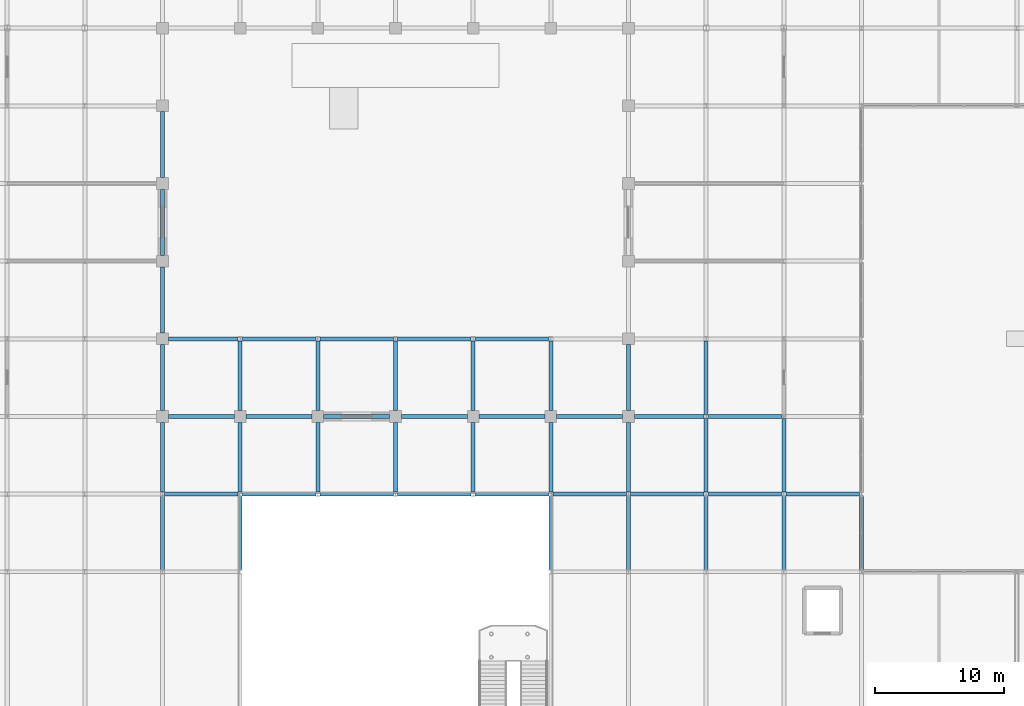
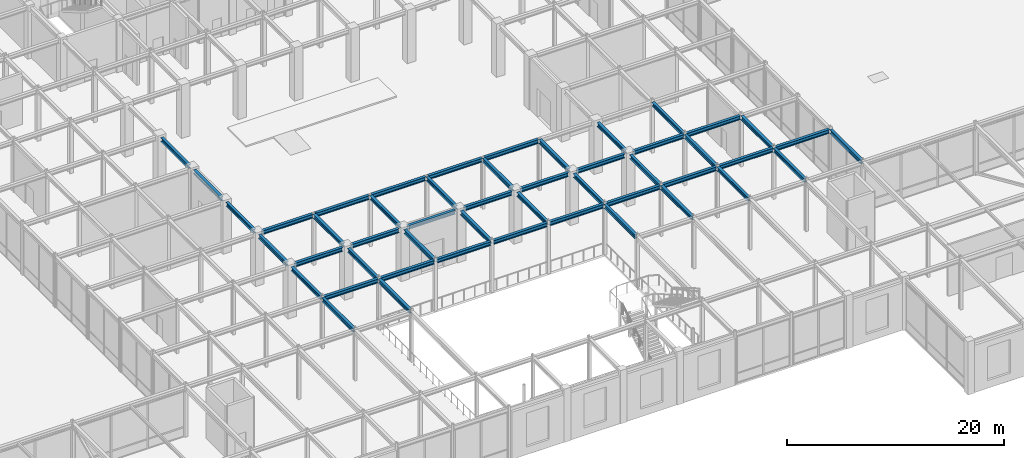
# One storey, part 63 of 108: 49 beams.
"""IFC4 building model written with IfcOpenShell, lengths in metres."""

from ifc_helpers import new_model, si_unit, direction, frame, origin, origin_2d, place, context, subcontext, project, spatial, i_section, extrude, material, material_profile, profile_set, type_object, element, save


model = new_model("IFC4")

# Units and contexts
model_context = context("Model", 3, precision=1e-05, world=origin(), true_north=direction((0.0, 1.0)))
body_context = subcontext(model_context, "Body", "Model", "MODEL_VIEW")
ifc_project = project(units=[si_unit("LENGTHUNIT", "METRE"), si_unit("AREAUNIT", "SQUARE_METRE"), si_unit("VOLUMEUNIT", "CUBIC_METRE"), si_unit("PLANEANGLEUNIT", "RADIAN"), si_unit("MASSUNIT", "GRAM", prefix="KILO")], contexts=[model_context])

# Site, building, storey
site_placement = place(None, origin())
site = spatial("IfcSite", under=ifc_project, at=site_placement, CompositionType="ELEMENT")
building_placement = place(site_placement, origin())
building = spatial("IfcBuilding", under=site, at=building_placement, Name="Zlatovratsky Civic Hall", CompositionType="ELEMENT")
storey_placement = place(building_placement, frame((0.0, 0.0, 6.0)))
storey = spatial("IfcBuildingStorey", under=building, at=storey_placement, Name="L02", CompositionType="ELEMENT", Elevation=6.0)

# Beams
ifc_material = material(Name="Steel S355", Category="steel")
ifc_material_profile = material_profile(ifc_material, i_section(OverallWidth=0.300048828125, OverallDepth=0.43994140625, WebThickness=0.010986328125, FlangeThickness=0.01806640625, FilletRadius=0.02197265625, at=origin_2d()), Name="45Sh1")
ifc_profile_set = profile_set([ifc_material_profile], Name="Steel S355")
beam_type = type_object("IfcBeamType", Name="Beam_TowerLow_45Sh1", PredefinedType="BEAM", material=ifc_profile_set)
for number, where, z_axis, x_axis, name in (
    (1, (66.14990234375, 36.0, 5.5400390625), (1.0, 0.0, 0.0), (0.0, 1.0, 0.0), "BM-1806"),
    (2, (72.14990234375, 36.0, 5.5400390625), (1.0, 0.0, 0.0), (0.0, 1.0, 0.0), "BM-1807"),
    (3, (78.14990234375, 36.0, 5.5400390625), (1.0, 0.0, 0.0), (0.0, 1.0, 0.0), "BM-1808"),
    (4, (84.14990234375, 36.0, 5.5400390625), (1.0, 0.0, 0.0), (0.0, 1.0, 0.0), "BM-1809"),
    (5, (90.14990234375, 36.0, 5.5400390625), (1.0, 0.0, 0.0), (0.0, 1.0, 0.0), "BM-1810"),
    (6, (96.14990234375, 36.0, 5.5400390625), (1.0, 0.0, 0.0), (0.0, 1.0, 0.0), "BM-1811"),
    (7, (102.14990234375, 36.0, 5.5400390625), (1.0, 0.0, 0.0), (0.0, 1.0, 0.0), "BM-1812"),
    (8, (108.14990234375, 36.0, 5.5400390625), (1.0, 0.0, 0.0), (0.0, 1.0, 0.0), "BM-1813"),
    (9, (114.14990234375, 36.0, 5.5400390625), (1.0, 0.0, 0.0), (0.0, 1.0, 0.0), "BM-1814"),
):
    element("IfcBeam", number, at=place(storey_placement, frame(where, z_axis=z_axis, x_axis=x_axis)), inside=storey, type_object=beam_type, Name=name, PredefinedType="BEAM", context=body_context, shape_type="SweptSolid", body=[
        extrude(i_section(OverallWidth=0.300048828125, OverallDepth=0.43994140625, WebThickness=0.010986328125, FlangeThickness=0.01806640625, FilletRadius=0.02197265625, at=origin_2d()), origin(), (0.0, 0.0, 1.0), 5.7001953125),
    ])
for number, where, z_axis, x_axis, name in (
    (10, (66.449951171875, 42.0, 5.5400390625), (1.0, 0.0, 0.0), (0.0, 1.0, 0.0), "BM-1822"),
    (11, (72.449951171875, 42.0, 5.5400390625), (1.0, 0.0, 0.0), (0.0, 1.0, 0.0), "BM-1823"),
    (12, (78.449951171875, 42.0, 5.5400390625), (1.0, 0.0, 0.0), (0.0, 1.0, 0.0), "BM-1824"),
    (13, (84.449951171875, 42.0, 5.5400390625), (1.0, 0.0, 0.0), (0.0, 1.0, 0.0), "BM-1825"),
    (14, (90.449951171875, 42.0, 5.5400390625), (1.0, 0.0, 0.0), (0.0, 1.0, 0.0), "BM-1826"),
    (15, (96.449951171875, 42.0, 5.5400390625), (1.0, 0.0, 0.0), (0.0, 1.0, 0.0), "BM-1827"),
):
    element("IfcBeam", number, at=place(storey_placement, frame(where, z_axis=z_axis, x_axis=x_axis)), inside=storey, type_object=beam_type, Name=name, PredefinedType="BEAM", context=body_context, shape_type="SweptSolid", body=[
        extrude(i_section(OverallWidth=0.300048828125, OverallDepth=0.43994140625, WebThickness=0.010986328125, FlangeThickness=0.01806640625, FilletRadius=0.02197265625, at=origin_2d()), origin(), (0.0, 0.0, 1.0), 5.10009765625),
    ])
beam_1_placement = place(storey_placement, frame((102.449951171875, 42.0, 5.5400390625), z_axis=(1.0, 0.0, 0.0), x_axis=(0.0, 1.0, 0.0)))
element("IfcBeam", 16, at=beam_1_placement, inside=storey, type_object=beam_type, Name="BM-1828", PredefinedType="BEAM", context=body_context, shape_type="SweptSolid", body=[
    extrude(i_section(OverallWidth=0.300048828125, OverallDepth=0.43994140625, WebThickness=0.010986328125, FlangeThickness=0.01806640625, FilletRadius=0.02197265625, at=origin_2d()), origin(), (0.0, 0.0, 1.0), 5.400146484375),
])
beam_2_placement = place(storey_placement, frame((108.14990234375, 42.0, 5.5400390625), z_axis=(1.0, 0.0, 0.0), x_axis=(0.0, 1.0, 0.0)))
element("IfcBeam", 17, at=beam_2_placement, inside=storey, type_object=beam_type, Name="BM-1829", PredefinedType="BEAM", context=body_context, shape_type="SweptSolid", body=[
    extrude(i_section(OverallWidth=0.300048828125, OverallDepth=0.43994140625, WebThickness=0.010986328125, FlangeThickness=0.01806640625, FilletRadius=0.02197265625, at=origin_2d()), origin(), (0.0, 0.0, 1.0), 5.7001953125),
])
beam_3_placement = place(storey_placement, frame((66.449951171875, 48.0, 5.5400390625), z_axis=(1.0, 0.0, 0.0), x_axis=(0.0, 1.0, 0.0)))
element("IfcBeam", 18, at=beam_3_placement, inside=storey, type_object=beam_type, Name="BM-1838", PredefinedType="BEAM", context=body_context, shape_type="SweptSolid", body=[
    extrude(i_section(OverallWidth=0.300048828125, OverallDepth=0.43994140625, WebThickness=0.010986328125, FlangeThickness=0.01806640625, FilletRadius=0.02197265625, at=origin_2d()), origin(), (0.0, 0.0, 1.0), 5.400146484375),
])
for number, where, z_axis, x_axis, name in (
    (19, (72.14990234375, 48.0, 5.5400390625), (1.0, 0.0, 0.0), (0.0, 1.0, 0.0), "BM-1839"),
    (20, (78.14990234375, 48.0, 5.5400390625), (1.0, 0.0, 0.0), (0.0, 1.0, 0.0), "BM-1840"),
    (21, (84.14990234375, 48.0, 5.5400390625), (1.0, 0.0, 0.0), (0.0, 1.0, 0.0), "BM-1841"),
    (22, (90.14990234375, 48.0, 5.5400390625), (1.0, 0.0, 0.0), (0.0, 1.0, 0.0), "BM-1842"),
    (23, (66.0, 30.14990234375, 5.5400390625), (0.0, 1.0, 0.0), (-1.0, 0.0, 0.0), "BM-2182"),
):
    element("IfcBeam", number, at=place(storey_placement, frame(where, z_axis=z_axis, x_axis=x_axis)), inside=storey, type_object=beam_type, Name=name, PredefinedType="BEAM", context=body_context, shape_type="SweptSolid", body=[
        extrude(i_section(OverallWidth=0.300048828125, OverallDepth=0.43994140625, WebThickness=0.010986328125, FlangeThickness=0.01806640625, FilletRadius=0.02197265625, at=origin_2d()), origin(), (0.0, 0.0, 1.0), 5.7001953125),
    ])
beam_4_placement = place(storey_placement, frame((66.0, 36.14990234375, 5.5400390625), z_axis=(0.0, 1.0, 0.0), x_axis=(-1.0, 0.0, 0.0)))
element("IfcBeam", 24, at=beam_4_placement, inside=storey, type_object=beam_type, Name="BM-2183", PredefinedType="BEAM", context=body_context, shape_type="SweptSolid", body=[
    extrude(i_section(OverallWidth=0.300048828125, OverallDepth=0.43994140625, WebThickness=0.010986328125, FlangeThickness=0.01806640625, FilletRadius=0.02197265625, at=origin_2d()), origin(), (0.0, 0.0, 1.0), 5.400146484375),
])
for number, where, z_axis, x_axis, name in (
    (25, (66.0, 42.449951171875, 5.5400390625), (0.0, 1.0, 0.0), (-1.0, 0.0, 0.0), "BM-2184"),
    (26, (66.0, 48.449951171875, 5.5400390625), (0.0, 1.0, 0.0), (-1.0, 0.0, 0.0), "BM-2185"),
    (27, (66.0, 54.449951171875, 5.5400390625), (0.0, 1.0, 0.0), (-1.0, 0.0, 0.0), "BM-2186"),
    (28, (66.0, 60.449951171875, 5.5400390625), (0.0, 1.0, 0.0), (-1.0, 0.0, 0.0), "BM-2187"),
):
    element("IfcBeam", number, at=place(storey_placement, frame(where, z_axis=z_axis, x_axis=x_axis)), inside=storey, type_object=beam_type, Name=name, PredefinedType="BEAM", context=body_context, shape_type="SweptSolid", body=[
        extrude(i_section(OverallWidth=0.300048828125, OverallDepth=0.43994140625, WebThickness=0.010986328125, FlangeThickness=0.01806640625, FilletRadius=0.02197265625, at=origin_2d()), origin(), (0.0, 0.0, 1.0), 5.10009765625),
    ])
beam_5_placement = place(storey_placement, frame((72.0, 30.14990234375, 5.5400390625), z_axis=(0.0, 1.0, 0.0), x_axis=(-1.0, 0.0, 0.0)))
element("IfcBeam", 29, at=beam_5_placement, inside=storey, type_object=beam_type, Name="BM-2198", PredefinedType="BEAM", context=body_context, shape_type="SweptSolid", body=[
    extrude(i_section(OverallWidth=0.300048828125, OverallDepth=0.43994140625, WebThickness=0.010986328125, FlangeThickness=0.01806640625, FilletRadius=0.02197265625, at=origin_2d()), origin(), (0.0, 0.0, 1.0), 5.7001953125),
])
for number, where, z_axis, x_axis, name in (
    (30, (72.0, 36.14990234375, 5.5400390625), (0.0, 1.0, 0.0), (-1.0, 0.0, 0.0), "BM-2199"),
    (31, (72.0, 42.449951171875, 5.5400390625), (0.0, 1.0, 0.0), (-1.0, 0.0, 0.0), "BM-2200"),
    (32, (78.0, 36.14990234375, 5.5400390625), (0.0, 1.0, 0.0), (-1.0, 0.0, 0.0), "BM-2209"),
    (33, (78.0, 42.449951171875, 5.5400390625), (0.0, 1.0, 0.0), (-1.0, 0.0, 0.0), "BM-2210"),
    (34, (84.0, 36.14990234375, 5.5400390625), (0.0, 1.0, 0.0), (-1.0, 0.0, 0.0), "BM-2219"),
    (35, (84.0, 42.449951171875, 5.5400390625), (0.0, 1.0, 0.0), (-1.0, 0.0, 0.0), "BM-2220"),
    (36, (90.0, 36.14990234375, 5.5400390625), (0.0, 1.0, 0.0), (-1.0, 0.0, 0.0), "BM-2229"),
    (37, (90.0, 42.449951171875, 5.5400390625), (0.0, 1.0, 0.0), (-1.0, 0.0, 0.0), "BM-2230"),
):
    element("IfcBeam", number, at=place(storey_placement, frame(where, z_axis=z_axis, x_axis=x_axis)), inside=storey, type_object=beam_type, Name=name, PredefinedType="BEAM", context=body_context, shape_type="SweptSolid", body=[
        extrude(i_section(OverallWidth=0.300048828125, OverallDepth=0.43994140625, WebThickness=0.010986328125, FlangeThickness=0.01806640625, FilletRadius=0.02197265625, at=origin_2d()), origin(), (0.0, 0.0, 1.0), 5.400146484375),
    ])
beam_6_placement = place(storey_placement, frame((96.0, 30.14990234375, 5.5400390625), z_axis=(0.0, 1.0, 0.0), x_axis=(-1.0, 0.0, 0.0)))
element("IfcBeam", 38, at=beam_6_placement, inside=storey, type_object=beam_type, Name="BM-2240", PredefinedType="BEAM", context=body_context, shape_type="SweptSolid", body=[
    extrude(i_section(OverallWidth=0.300048828125, OverallDepth=0.43994140625, WebThickness=0.010986328125, FlangeThickness=0.01806640625, FilletRadius=0.02197265625, at=origin_2d()), origin(), (0.0, 0.0, 1.0), 5.7001953125),
])
for number, where, z_axis, x_axis, name in (
    (39, (96.0, 36.14990234375, 5.5400390625), (0.0, 1.0, 0.0), (-1.0, 0.0, 0.0), "BM-2241"),
    (40, (96.0, 42.449951171875, 5.5400390625), (0.0, 1.0, 0.0), (-1.0, 0.0, 0.0), "BM-2242"),
):
    element("IfcBeam", number, at=place(storey_placement, frame(where, z_axis=z_axis, x_axis=x_axis)), inside=storey, type_object=beam_type, Name=name, PredefinedType="BEAM", context=body_context, shape_type="SweptSolid", body=[
        extrude(i_section(OverallWidth=0.300048828125, OverallDepth=0.43994140625, WebThickness=0.010986328125, FlangeThickness=0.01806640625, FilletRadius=0.02197265625, at=origin_2d()), origin(), (0.0, 0.0, 1.0), 5.400146484375),
    ])
beam_7_placement = place(storey_placement, frame((102.0, 30.14990234375, 5.5400390625), z_axis=(0.0, 1.0, 0.0), x_axis=(-1.0, 0.0, 0.0)))
element("IfcBeam", 41, at=beam_7_placement, inside=storey, type_object=beam_type, Name="BM-2252", PredefinedType="BEAM", context=body_context, shape_type="SweptSolid", body=[
    extrude(i_section(OverallWidth=0.300048828125, OverallDepth=0.43994140625, WebThickness=0.010986328125, FlangeThickness=0.01806640625, FilletRadius=0.02197265625, at=origin_2d()), origin(), (0.0, 0.0, 1.0), 5.7001953125),
])
beam_8_placement = place(storey_placement, frame((102.0, 36.14990234375, 5.5400390625), z_axis=(0.0, 1.0, 0.0), x_axis=(-1.0, 0.0, 0.0)))
element("IfcBeam", 42, at=beam_8_placement, inside=storey, type_object=beam_type, Name="BM-2253", PredefinedType="BEAM", context=body_context, shape_type="SweptSolid", body=[
    extrude(i_section(OverallWidth=0.300048828125, OverallDepth=0.43994140625, WebThickness=0.010986328125, FlangeThickness=0.01806640625, FilletRadius=0.02197265625, at=origin_2d()), origin(), (0.0, 0.0, 1.0), 5.400146484375),
])
beam_9_placement = place(storey_placement, frame((102.0, 42.449951171875, 5.5400390625), z_axis=(0.0, 1.0, 0.0), x_axis=(-1.0, 0.0, 0.0)))
element("IfcBeam", 43, at=beam_9_placement, inside=storey, type_object=beam_type, Name="BM-2254", PredefinedType="BEAM", context=body_context, shape_type="SweptSolid", body=[
    extrude(i_section(OverallWidth=0.300048828125, OverallDepth=0.43994140625, WebThickness=0.010986328125, FlangeThickness=0.01806640625, FilletRadius=0.02197265625, at=origin_2d()), origin(), (0.0, 0.0, 1.0), 5.10009765625),
])
for number, where, z_axis, x_axis, name in (
    (44, (108.0, 30.14990234375, 5.5400390625), (0.0, 1.0, 0.0), (-1.0, 0.0, 0.0), "BM-2268"),
    (45, (108.0, 36.14990234375, 5.5400390625), (0.0, 1.0, 0.0), (-1.0, 0.0, 0.0), "BM-2269"),
    (46, (108.0, 42.14990234375, 5.5400390625), (0.0, 1.0, 0.0), (-1.0, 0.0, 0.0), "BM-2270"),
    (47, (114.0, 30.14990234375, 5.5400390625), (0.0, 1.0, 0.0), (-1.0, 0.0, 0.0), "BM-2285"),
    (48, (114.0, 36.14990234375, 5.5400390625), (0.0, 1.0, 0.0), (-1.0, 0.0, 0.0), "BM-2286"),
    (49, (120.0, 30.14990234375, 5.5400390625), (0.0, 1.0, 0.0), (-1.0, 0.0, 0.0), "BM-2302"),
):
    element("IfcBeam", number, at=place(storey_placement, frame(where, z_axis=z_axis, x_axis=x_axis)), inside=storey, type_object=beam_type, Name=name, PredefinedType="BEAM", context=body_context, shape_type="SweptSolid", body=[
        extrude(i_section(OverallWidth=0.300048828125, OverallDepth=0.43994140625, WebThickness=0.010986328125, FlangeThickness=0.01806640625, FilletRadius=0.02197265625, at=origin_2d()), origin(), (0.0, 0.0, 1.0), 5.7001953125),
    ])

save(model, "model.ifc")
